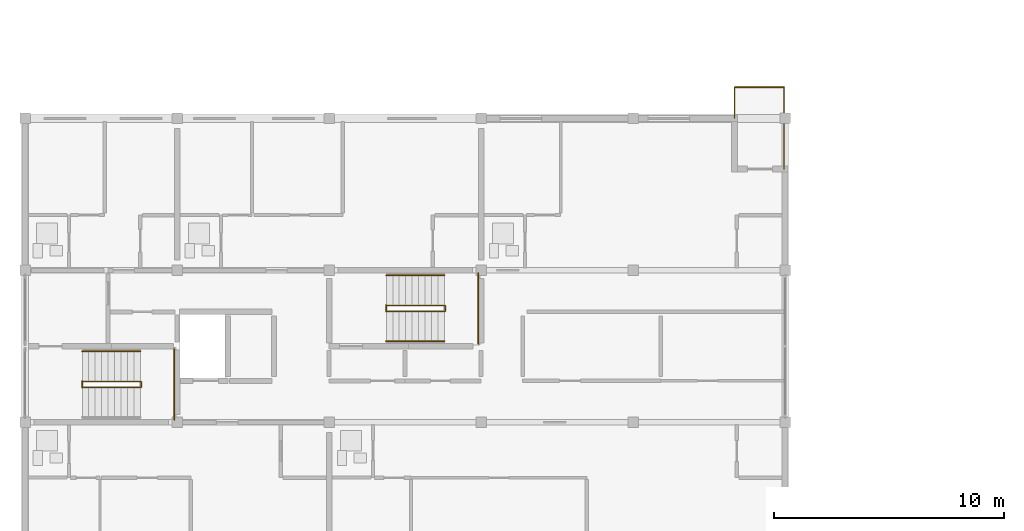
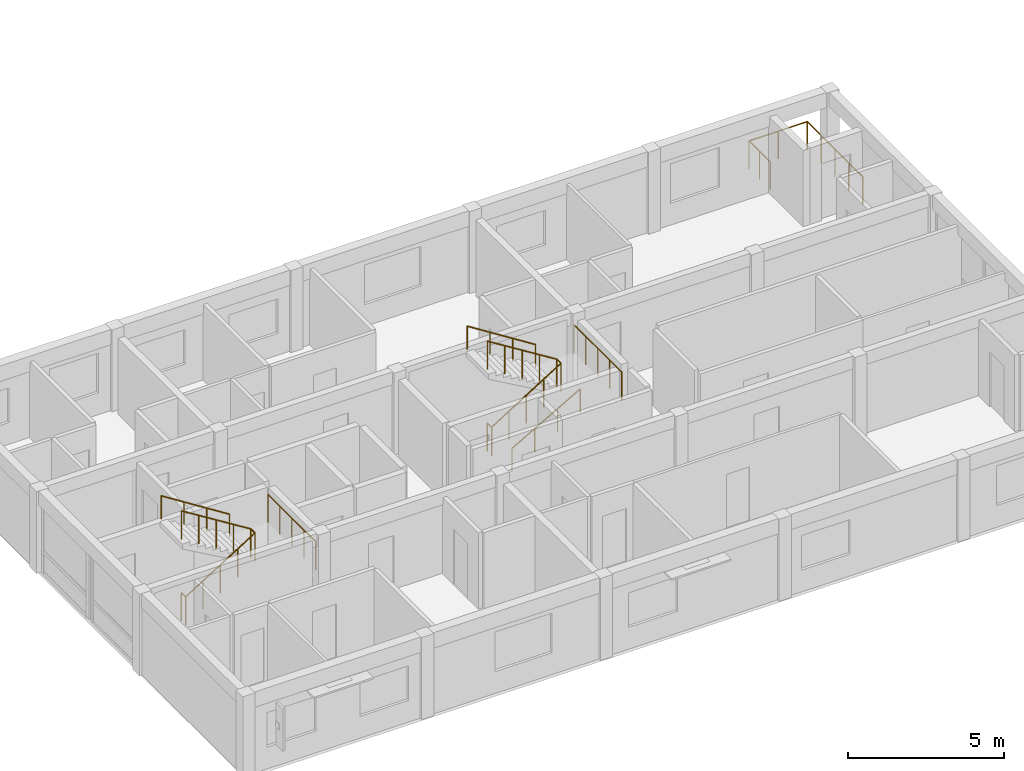
# One storey, part 20 of 22: 10 railings.
"""IFC4 building model written with IfcOpenShell, lengths in metres."""

from ifc_helpers import new_model, si_unit, direction, frame, origin, origin_2d, place, context, subcontext, project, spatial, circle, extrude, material, type_object, element, save


model = new_model("IFC4")

# Units and contexts
model_context = context("Model", 3, precision=1e-05, world=origin(), true_north=direction((0.0, 1.0)))
body_context = subcontext(model_context, "Body", "Model", "MODEL_VIEW")
ifc_project = project(units=[si_unit("LENGTHUNIT", "METRE"), si_unit("AREAUNIT", "SQUARE_METRE"), si_unit("VOLUMEUNIT", "CUBIC_METRE"), si_unit("PLANEANGLEUNIT", "RADIAN"), si_unit("MASSUNIT", "GRAM", prefix="KILO")], contexts=[model_context])

# Site, building, storey
site_placement = place(None, origin())
site = spatial("IfcSite", under=ifc_project, at=site_placement, CompositionType="ELEMENT")
building_placement = place(site_placement, origin())
building = spatial("IfcBuilding", under=site, at=building_placement, Name="Kernevlak Ridge Housing Community", CompositionType="ELEMENT")
storey_placement = place(building_placement, frame((0.0, 0.0, 43.60009765625)))
storey = spatial("IfcBuildingStorey", under=building, at=storey_placement, Name="L13", CompositionType="ELEMENT", Elevation=43.60009765625)

# Railings
ifc_material_1 = material(Name="Steel S355", Category="steel")
railing_type_1 = type_object("IfcRailingType", Name="BL-01", PredefinedType="BALUSTRADE", material=ifc_material_1)
railing_1_placement = place(storey_placement, frame((46.39990234375, 95.800048828125, 0.0)))
element("IfcRailing", 1, at=railing_1_placement, inside=storey, type_object=railing_type_1, Name="Block A L13 balcony balustrade BL-01 13", PredefinedType="BALUSTRADE", context=body_context, shape_type="SweptSolid", body=[
    extrude(circle(Radius=0.02392578125, at=origin_2d()), frame((0.0, 0.0, 1.076171875), z_axis=(0.0, 1.0, 0.0), x_axis=(-1.0, 0.0, 0.0)), (0.0, 0.0, 1.0), 1.349853515625),
    extrude(circle(Radius=0.02392578125, at=origin_2d()), frame((0.0, 1.349853515625, 1.076171875), z_axis=(1.0, 0.0, 0.0), x_axis=(0.0, 1.0, 0.0)), (0.0, 0.0, 1.0), 2.150146484375),
    extrude(circle(Radius=0.02392578125, at=origin_2d()), frame((2.150146484375, 1.349853515625, 1.076171875), z_axis=(0.0, -1.0, 0.0), x_axis=(1.0, 0.0, 0.0)), (0.0, 0.0, 1.0), 3.5498046875),
    extrude(circle(Radius=0.02099609375, at=origin_2d()), origin(), (0.0, 0.0, 1.0), 1.052001953125),
    extrude(circle(Radius=0.02099609375, at=origin_2d()), frame((0.0, 0.6748046875, 0.0)), (0.0, 0.0, 1.0), 1.052001953125),
    extrude(circle(Radius=0.02099609375, at=origin_2d()), frame((0.0, 1.349853515625, 0.0)), (0.0, 0.0, 1.0), 1.052001953125),
    extrude(circle(Radius=0.02099609375, at=origin_2d()), frame((1.0751953125, 1.349853515625, 0.0)), (0.0, 0.0, 1.0), 1.052001953125),
    extrude(circle(Radius=0.02099609375, at=origin_2d()), frame((2.150146484375, 1.349853515625, 0.0)), (0.0, 0.0, 1.0), 1.052001953125),
    extrude(circle(Radius=0.02099609375, at=origin_2d()), frame((2.150146484375, 0.46240234375, 0.0)), (0.0, 0.0, 1.0), 1.052001953125),
    extrude(circle(Radius=0.02099609375, at=origin_2d()), frame((2.150146484375, -0.425048828125, 0.0)), (0.0, 0.0, 1.0), 1.052001953125),
    extrude(circle(Radius=0.02099609375, at=origin_2d()), frame((2.150146484375, -1.3125, 0.0)), (0.0, 0.0, 1.0), 1.052001953125),
    extrude(circle(Radius=0.02099609375, at=origin_2d()), frame((2.150146484375, -2.199951171875, 0.0)), (0.0, 0.0, 1.0), 1.052001953125),
])
railing_type_2 = type_object("IfcRailingType", Name="GR-02", PredefinedType="GUARDRAIL", material=ifc_material_1)
railing_2_placement = place(storey_placement, frame((18.080078125, 84.110107421875, 0.0)))
element("IfcRailing", 2, at=railing_2_placement, inside=storey, type_object=railing_type_2, Name="Stair ST-A1 L13 well slot guard", PredefinedType="GUARDRAIL", context=body_context, shape_type="SweptSolid", body=[
    extrude(circle(Radius=0.02392578125, at=origin_2d()), frame((0.0, 0.0, 1.09619140625), z_axis=(0.0, 1.0, 0.0), x_axis=(-1.0, 0.0, 0.0)), (0.0, 0.0, 1.0), 0.27978515625),
    extrude(circle(Radius=0.02099609375, at=origin_2d()), origin(), (0.0, 0.0, 1.0), 1.072021484375),
    extrude(circle(Radius=0.02099609375, at=origin_2d()), frame((0.0, 0.27978515625, 0.0)), (0.0, 0.0, 1.0), 1.072021484375),
])
railing_3_placement = place(storey_placement, frame((18.080078125, 84.1201171875, 0.0)))
element("IfcRailing", 3, at=railing_3_placement, inside=storey, type_object=railing_type_2, Name="Stair ST-A1 L13 inner well guardrail", PredefinedType="GUARDRAIL", context=body_context, shape_type="SweptSolid", body=[
    extrude(circle(Radius=0.02392578125, at=origin_2d()), frame((0.0, 0.0, 1.09619140625), z_axis=(0.848002847666, 0.0, 0.529991670077), x_axis=(0.0, 1.0, 0.0)), (0.0, 0.0, 1.0), 3.0185546875),
    extrude(circle(Radius=0.02392578125, at=origin_2d()), frame((2.559814453125, 0.0, 2.69580078125), z_axis=(0.0, 1.0, 0.0), x_axis=(-1.0, 0.0, 0.0)), (0.0, 0.0, 1.0), 0.259765625),
    extrude(circle(Radius=0.02392578125, at=origin_2d()), frame((2.559814453125, 0.259765625, 2.69580078125), z_axis=(-0.847966497998, 0.0, 0.530049826217), x_axis=(0.0, -1.0, 0.0)), (0.0, 0.0, 1.0), 3.018798828125),
    extrude(circle(Radius=0.02099609375, at=origin_2d()), origin(), (0.0, 0.0, 1.0), 1.072021484375),
    extrude(circle(Radius=0.02099609375, at=origin_2d()), frame((0.639892578125, 0.0, 0.39990234375)), (0.0, 0.0, 1.0), 1.072021484375),
    extrude(circle(Radius=0.02099609375, at=origin_2d()), frame((1.27978515625, 0.0, 0.7998046875)), (0.0, 0.0, 1.0), 1.072021484375),
    extrude(circle(Radius=0.02099609375, at=origin_2d()), frame((1.919921875, 0.0, 1.199951171875)), (0.0, 0.0, 1.0), 1.072021484375),
    extrude(circle(Radius=0.02099609375, at=origin_2d()), frame((2.559814453125, 0.0, 1.599853515625)), (0.0, 0.0, 1.0), 1.072021484375),
    extrude(circle(Radius=0.02099609375, at=origin_2d()), frame((2.559814453125, 0.259765625, 1.599853515625)), (0.0, 0.0, 1.0), 1.072021484375),
    extrude(circle(Radius=0.02099609375, at=origin_2d()), frame((1.919921875, 0.259765625, 2.0)), (0.0, 0.0, 1.0), 1.072021484375),
    extrude(circle(Radius=0.02099609375, at=origin_2d()), frame((1.27978515625, 0.259765625, 2.39990234375)), (0.0, 0.0, 1.0), 1.072021484375),
    extrude(circle(Radius=0.02099609375, at=origin_2d()), frame((0.639892578125, 0.259765625, 2.7998046875)), (0.0, 0.0, 1.0), 1.072021484375),
    extrude(circle(Radius=0.02099609375, at=origin_2d()), frame((0.0, 0.259765625, 3.199951171875)), (0.0, 0.0, 1.0), 1.072021484375),
])
railing_4_placement = place(storey_placement, frame((22.080078125, 82.719970703125, 1.599853515625)))
element("IfcRailing", 4, at=railing_4_placement, inside=storey, type_object=railing_type_2, Name="Stair ST-A1 L13 half-landing guard", PredefinedType="GUARDRAIL", context=body_context, shape_type="SweptSolid", body=[
    extrude(circle(Radius=0.02392578125, at=origin_2d()), frame((0.0, 0.0, 1.09619140625), z_axis=(0.0, 1.0, 0.0), x_axis=(-1.0, 0.0, 0.0)), (0.0, 0.0, 1.0), 3.06005859375),
    extrude(circle(Radius=0.02099609375, at=origin_2d()), origin(), (0.0, 0.0, 1.0), 1.072021484375),
    extrude(circle(Radius=0.02099609375, at=origin_2d()), frame((0.0, 0.76513671875, 0.0)), (0.0, 0.0, 1.0), 1.072021484375),
    extrude(circle(Radius=0.02099609375, at=origin_2d()), frame((0.0, 1.530029296875, 0.0)), (0.0, 0.0, 1.0), 1.072021484375),
    extrude(circle(Radius=0.02099609375, at=origin_2d()), frame((0.0, 2.294921875, 0.0)), (0.0, 0.0, 1.0), 1.072021484375),
    extrude(circle(Radius=0.02099609375, at=origin_2d()), frame((0.0, 3.06005859375, 0.0)), (0.0, 0.0, 1.0), 1.072021484375),
])
railing_5_placement = place(storey_placement, frame((31.280029296875, 87.409912109375, 0.0)))
element("IfcRailing", 5, at=railing_5_placement, inside=storey, type_object=railing_type_2, Name="Stair ST-A2 L13 well slot guard", PredefinedType="GUARDRAIL", context=body_context, shape_type="SweptSolid", body=[
    extrude(circle(Radius=0.02392578125, at=origin_2d()), frame((0.0, 0.0, 1.09619140625), z_axis=(0.0, 1.0, 0.0), x_axis=(-1.0, 0.0, 0.0)), (0.0, 0.0, 1.0), 0.280029296875),
    extrude(circle(Radius=0.02099609375, at=origin_2d()), origin(), (0.0, 0.0, 1.0), 1.072021484375),
    extrude(circle(Radius=0.02099609375, at=origin_2d()), frame((0.0, 0.280029296875, 0.0)), (0.0, 0.0, 1.0), 1.072021484375),
])
railing_6_placement = place(storey_placement, frame((31.280029296875, 87.419921875, 0.0)))
element("IfcRailing", 6, at=railing_6_placement, inside=storey, type_object=railing_type_2, Name="Stair ST-A2 L13 inner well guardrail", PredefinedType="GUARDRAIL", context=body_context, shape_type="SweptSolid", body=[
    extrude(circle(Radius=0.02392578125, at=origin_2d()), frame((0.0, 0.0, 1.09619140625), z_axis=(0.848025563165, 0.0, 0.529955322851), x_axis=(0.0, 1.0, 0.0)), (0.0, 0.0, 1.0), 3.018798828125),
    extrude(circle(Radius=0.02392578125, at=origin_2d()), frame((2.56005859375, 0.0, 2.69580078125), z_axis=(0.0, 1.0, 0.0), x_axis=(-1.0, 0.0, 0.0)), (0.0, 0.0, 1.0), 0.260009765625),
    extrude(circle(Radius=0.02392578125, at=origin_2d()), frame((2.56005859375, 0.260009765625, 2.69580078125), z_axis=(-0.847989217509, 0.0, 0.530013478119), x_axis=(0.0, -1.0, 0.0)), (0.0, 0.0, 1.0), 3.01904296875),
    extrude(circle(Radius=0.02099609375, at=origin_2d()), origin(), (0.0, 0.0, 1.0), 1.072021484375),
    extrude(circle(Radius=0.02099609375, at=origin_2d()), frame((0.64013671875, 0.0, 0.39990234375)), (0.0, 0.0, 1.0), 1.072021484375),
    extrude(circle(Radius=0.02099609375, at=origin_2d()), frame((1.280029296875, 0.0, 0.7998046875)), (0.0, 0.0, 1.0), 1.072021484375),
    extrude(circle(Radius=0.02099609375, at=origin_2d()), frame((1.919921875, 0.0, 1.199951171875)), (0.0, 0.0, 1.0), 1.072021484375),
    extrude(circle(Radius=0.02099609375, at=origin_2d()), frame((2.56005859375, 0.0, 1.599853515625)), (0.0, 0.0, 1.0), 1.072021484375),
    extrude(circle(Radius=0.02099609375, at=origin_2d()), frame((2.56005859375, 0.260009765625, 1.599853515625)), (0.0, 0.0, 1.0), 1.072021484375),
    extrude(circle(Radius=0.02099609375, at=origin_2d()), frame((1.919921875, 0.260009765625, 2.0)), (0.0, 0.0, 1.0), 1.072021484375),
    extrude(circle(Radius=0.02099609375, at=origin_2d()), frame((1.280029296875, 0.260009765625, 2.39990234375)), (0.0, 0.0, 1.0), 1.072021484375),
    extrude(circle(Radius=0.02099609375, at=origin_2d()), frame((0.64013671875, 0.260009765625, 2.7998046875)), (0.0, 0.0, 1.0), 1.072021484375),
    extrude(circle(Radius=0.02099609375, at=origin_2d()), frame((0.0, 0.260009765625, 3.199951171875)), (0.0, 0.0, 1.0), 1.072021484375),
])
railing_7_placement = place(storey_placement, frame((35.280029296875, 86.02001953125, 1.599853515625)))
element("IfcRailing", 7, at=railing_7_placement, inside=storey, type_object=railing_type_2, Name="Stair ST-A2 L13 half-landing guard", PredefinedType="GUARDRAIL", context=body_context, shape_type="SweptSolid", body=[
    extrude(circle(Radius=0.02392578125, at=origin_2d()), frame((0.0, 0.0, 1.09619140625), z_axis=(0.0, 1.0, 0.0), x_axis=(-1.0, 0.0, 0.0)), (0.0, 0.0, 1.0), 3.06005859375),
    extrude(circle(Radius=0.02099609375, at=origin_2d()), origin(), (0.0, 0.0, 1.0), 1.072021484375),
    extrude(circle(Radius=0.02099609375, at=origin_2d()), frame((0.0, 0.76513671875, 0.0)), (0.0, 0.0, 1.0), 1.072021484375),
    extrude(circle(Radius=0.02099609375, at=origin_2d()), frame((0.0, 1.530029296875, 0.0)), (0.0, 0.0, 1.0), 1.072021484375),
    extrude(circle(Radius=0.02099609375, at=origin_2d()), frame((0.0, 2.294921875, 0.0)), (0.0, 0.0, 1.0), 1.072021484375),
    extrude(circle(Radius=0.02099609375, at=origin_2d()), frame((0.0, 3.06005859375, 0.0)), (0.0, 0.0, 1.0), 1.072021484375),
])
ifc_material_2 = material(Name="Stainless steel EN 1.4401", Category="steel")
railing_type_3 = type_object("IfcRailingType", Name="HR-01", PredefinedType="HANDRAIL", material=ifc_material_2)
railing_8_placement = place(storey_placement, frame((20.60009765625, 85.679931640625, 1.599853515625)))
element("IfcRailing", 8, at=railing_8_placement, inside=storey, type_object=railing_type_3, Name="Stair ST-A1 L13 flight 2 handrail", PredefinedType="HANDRAIL", context=body_context, shape_type="SweptSolid", body=[
    extrude(circle(Radius=0.02392578125, at=origin_2d()), frame((0.0, 0.0, 0.89599609375), z_axis=(-0.844199891302, 0.0, 0.536028491338), x_axis=(0.0, -1.0, 0.0)), (0.0, 0.0, 1.0), 2.985107421875),
    extrude(circle(Radius=0.02099609375, at=origin_2d()), origin(), (0.0, 0.0, 1.0), 0.871826171875),
    extrude(circle(Radius=0.02099609375, at=origin_2d()), frame((-0.840087890625, 0.0, 0.533447265625)), (0.0, 0.0, 1.0), 0.871826171875),
    extrude(circle(Radius=0.02099609375, at=origin_2d()), frame((-1.679931640625, 0.0, 1.066650390625)), (0.0, 0.0, 1.0), 0.871826171875),
    extrude(circle(Radius=0.02099609375, at=origin_2d()), frame((-2.52001953125, 0.0, 1.60009765625)), (0.0, 0.0, 1.0), 0.871826171875),
])
railing_9_placement = place(storey_placement, frame((31.280029296875, 86.1201171875, 0.159912109375)))
element("IfcRailing", 9, at=railing_9_placement, inside=storey, type_object=railing_type_3, Name="Stair ST-A2 L13 flight 1 handrail", PredefinedType="HANDRAIL", context=body_context, shape_type="SweptSolid", body=[
    extrude(circle(Radius=0.02392578125, at=origin_2d()), frame((0.0, 0.0, 0.89599609375), z_axis=(0.868253494771, 0.0, 0.496120820787), x_axis=(0.0, 1.0, 0.0)), (0.0, 0.0, 1.0), 2.90234375),
    extrude(circle(Radius=0.02099609375, at=origin_2d()), origin(), (0.0, 0.0, 1.0), 0.871826171875),
    extrude(circle(Radius=0.02099609375, at=origin_2d()), frame((0.840087890625, 0.0, 0.47998046875)), (0.0, 0.0, 1.0), 0.871826171875),
    extrude(circle(Radius=0.02099609375, at=origin_2d()), frame((1.679931640625, 0.0, 0.9599609375)), (0.0, 0.0, 1.0), 0.871826171875),
    extrude(circle(Radius=0.02099609375, at=origin_2d()), frame((2.52001953125, 0.0, 1.43994140625)), (0.0, 0.0, 1.0), 0.871826171875),
])
railing_10_placement = place(storey_placement, frame((33.800048828125, 88.97998046875, 1.599853515625)))
element("IfcRailing", 10, at=railing_10_placement, inside=storey, type_object=railing_type_3, Name="Stair ST-A2 L13 flight 2 handrail", PredefinedType="HANDRAIL", context=body_context, shape_type="SweptSolid", body=[
    extrude(circle(Radius=0.02392578125, at=origin_2d()), frame((0.0, 0.0, 0.89599609375), z_axis=(-0.844199891302, 0.0, 0.536028491338), x_axis=(0.0, -1.0, 0.0)), (0.0, 0.0, 1.0), 2.985107421875),
    extrude(circle(Radius=0.02099609375, at=origin_2d()), origin(), (0.0, 0.0, 1.0), 0.871826171875),
    extrude(circle(Radius=0.02099609375, at=origin_2d()), frame((-0.840087890625, 0.0, 0.533447265625)), (0.0, 0.0, 1.0), 0.871826171875),
    extrude(circle(Radius=0.02099609375, at=origin_2d()), frame((-1.679931640625, 0.0, 1.066650390625)), (0.0, 0.0, 1.0), 0.871826171875),
    extrude(circle(Radius=0.02099609375, at=origin_2d()), frame((-2.52001953125, 0.0, 1.60009765625)), (0.0, 0.0, 1.0), 0.871826171875),
])

save(model, "model.ifc")
